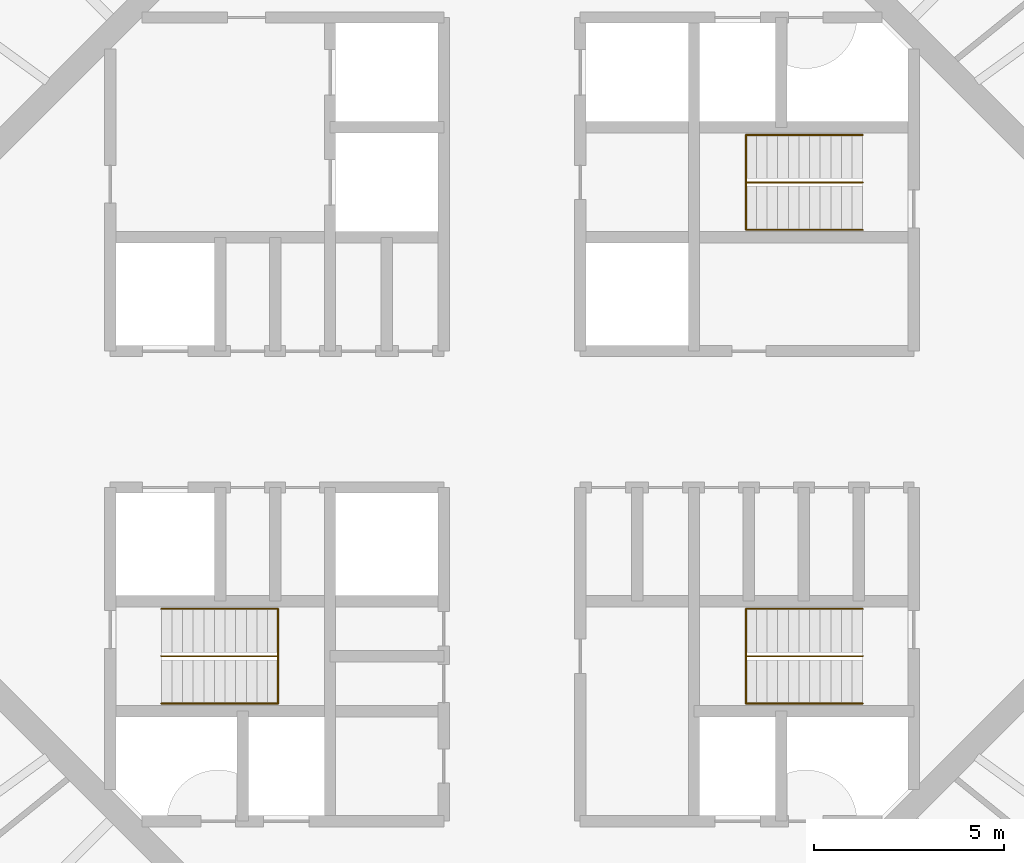
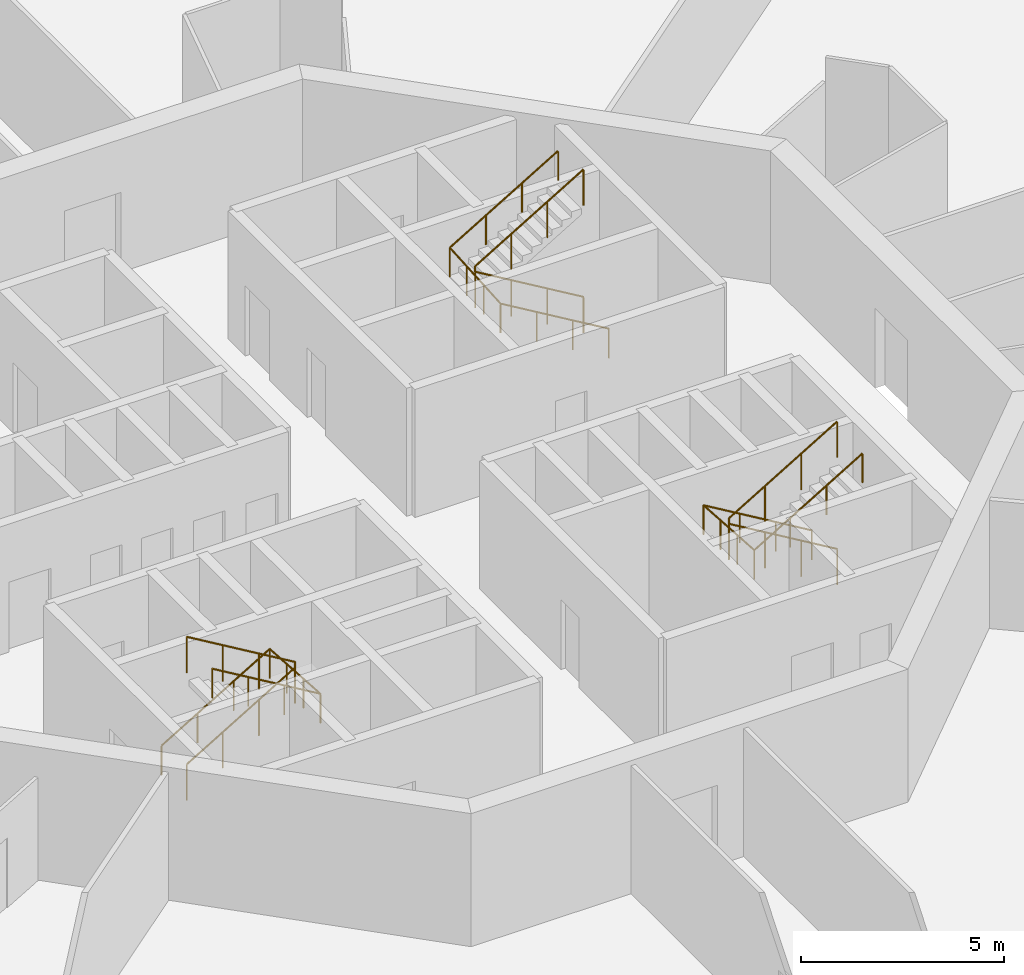
# One storey, part 13 of 13: 6 railings.
"""IFC4 building model written with IfcOpenShell, lengths in metres."""

from ifc_helpers import new_model, si_unit, direction, frame, origin, origin_2d, place, context, subcontext, project, spatial, circle, extrude, material, type_object, element, save


model = new_model("IFC4")

# Units and contexts
model_context = context("Model", 3, precision=1e-05, world=origin(), true_north=direction((0.0, 1.0)))
body_context = subcontext(model_context, "Body", "Model", "MODEL_VIEW")
ifc_project = project(units=[si_unit("LENGTHUNIT", "METRE"), si_unit("AREAUNIT", "SQUARE_METRE"), si_unit("VOLUMEUNIT", "CUBIC_METRE"), si_unit("PLANEANGLEUNIT", "RADIAN"), si_unit("MASSUNIT", "GRAM", prefix="KILO")], contexts=[model_context])

# Site, building, storey
site_placement = place(None, origin())
site = spatial("IfcSite", under=ifc_project, at=site_placement, CompositionType="ELEMENT")
building_placement = place(site_placement, origin())
building = spatial("IfcBuilding", under=site, at=building_placement, Name="Entoto Ring Tower", CompositionType="ELEMENT")
storey_placement = place(building_placement, frame((0.0, 0.0, 340.0)))
storey = spatial("IfcBuildingStorey", under=building, at=storey_placement, Name="L78", CompositionType="ELEMENT", Elevation=340.0)

# Railings
ifc_material_1 = material(Name="Steel S275", Category="steel")
railing_type_1 = type_object("IfcRailingType", Name="Stair guard 1100 mm steel", PredefinedType="GUARDRAIL", material=ifc_material_1)
railing_1_placement = place(storey_placement, frame((99.25, 86.25, 0.166748046875)))
element("IfcRailing", 1, at=railing_1_placement, inside=storey, type_object=railing_type_1, Name="Guard ST1", PredefinedType="GUARDRAIL", context=body_context, shape_type="SweptSolid", body=[
    extrude(circle(Radius=0.02392578125, at=origin_2d()), frame((0.0, 0.0, 1.076171875), z_axis=(-0.859308565015, 0.0, 0.511457515432), x_axis=(0.0, -1.0, 0.0)), (0.0, 0.0, 1.0), 3.58447265625),
    extrude(circle(Radius=0.02392578125, at=origin_2d()), frame((-3.080078125, 0.0, 2.9091796875), z_axis=(0.0, 0.0, 1.0), x_axis=(1.0, 0.0, 0.0)), (0.0, 0.0, 1.0), 0.166748046875),
    extrude(circle(Radius=0.02392578125, at=origin_2d()), frame((-3.080078125, 0.0, 3.076171875), z_axis=(0.859308565015, 0.0, 0.511457515432), x_axis=(0.0, 1.0, 0.0)), (0.0, 0.0, 1.0), 3.58447265625),
    extrude(circle(Radius=0.02099609375, at=origin_2d()), origin(), (0.0, 0.0, 1.0), 1.052001953125),
    extrude(circle(Radius=0.02099609375, at=origin_2d()), frame((-1.026611328125, 0.0, 0.611083984375)), (0.0, 0.0, 1.0), 1.052001953125),
    extrude(circle(Radius=0.02099609375, at=origin_2d()), frame((-2.053466796875, 0.0, 1.22216796875)), (0.0, 0.0, 1.0), 1.052001953125),
    extrude(circle(Radius=0.02099609375, at=origin_2d()), frame((-3.080078125, 0.0, 1.833251953125)), (0.0, 0.0, 1.0), 1.052001953125),
    extrude(circle(Radius=0.02099609375, at=origin_2d()), frame((-3.080078125, 0.0, 2.0)), (0.0, 0.0, 1.0), 1.052001953125),
    extrude(circle(Radius=0.02099609375, at=origin_2d()), frame((-2.053466796875, 0.0, 2.611083984375)), (0.0, 0.0, 1.0), 1.052001953125),
    extrude(circle(Radius=0.02099609375, at=origin_2d()), frame((-1.026611328125, 0.0, 3.22216796875)), (0.0, 0.0, 1.0), 1.052001953125),
    extrude(circle(Radius=0.02099609375, at=origin_2d()), frame((0.0, 0.0, 3.833251953125)), (0.0, 0.0, 1.0), 1.052001953125),
])
railing_2_placement = place(storey_placement, frame((80.75, 73.75, 0.166748046875)))
element("IfcRailing", 2, at=railing_2_placement, inside=storey, type_object=railing_type_1, Name="Guard ST2", PredefinedType="GUARDRAIL", context=body_context, shape_type="SweptSolid", body=[
    extrude(circle(Radius=0.02392578125, at=origin_2d()), frame((0.0, 0.0, 1.076171875), z_axis=(0.859308565015, 0.0, 0.511457515432), x_axis=(0.0, 1.0, 0.0)), (0.0, 0.0, 1.0), 3.58447265625),
    extrude(circle(Radius=0.02392578125, at=origin_2d()), frame((3.080078125, 0.0, 2.9091796875), z_axis=(0.0, 0.0, 1.0), x_axis=(1.0, 0.0, 0.0)), (0.0, 0.0, 1.0), 0.166748046875),
    extrude(circle(Radius=0.02392578125, at=origin_2d()), frame((3.080078125, 0.0, 3.076171875), z_axis=(-0.859308565015, 0.0, 0.511457515432), x_axis=(0.0, -1.0, 0.0)), (0.0, 0.0, 1.0), 3.58447265625),
    extrude(circle(Radius=0.02099609375, at=origin_2d()), origin(), (0.0, 0.0, 1.0), 1.052001953125),
    extrude(circle(Radius=0.02099609375, at=origin_2d()), frame((1.026611328125, 0.0, 0.611083984375)), (0.0, 0.0, 1.0), 1.052001953125),
    extrude(circle(Radius=0.02099609375, at=origin_2d()), frame((2.053466796875, 0.0, 1.22216796875)), (0.0, 0.0, 1.0), 1.052001953125),
    extrude(circle(Radius=0.02099609375, at=origin_2d()), frame((3.080078125, 0.0, 1.833251953125)), (0.0, 0.0, 1.0), 1.052001953125),
    extrude(circle(Radius=0.02099609375, at=origin_2d()), frame((3.080078125, 0.0, 2.0)), (0.0, 0.0, 1.0), 1.052001953125),
    extrude(circle(Radius=0.02099609375, at=origin_2d()), frame((2.053466796875, 0.0, 2.611083984375)), (0.0, 0.0, 1.0), 1.052001953125),
    extrude(circle(Radius=0.02099609375, at=origin_2d()), frame((1.026611328125, 0.0, 3.22216796875)), (0.0, 0.0, 1.0), 1.052001953125),
    extrude(circle(Radius=0.02099609375, at=origin_2d()), frame((0.0, 0.0, 3.833251953125)), (0.0, 0.0, 1.0), 1.052001953125),
])
railing_3_placement = place(storey_placement, frame((99.25, 73.75, 0.166748046875)))
element("IfcRailing", 3, at=railing_3_placement, inside=storey, type_object=railing_type_1, Name="Guard ST3", PredefinedType="GUARDRAIL", context=body_context, shape_type="SweptSolid", body=[
    extrude(circle(Radius=0.02392578125, at=origin_2d()), frame((0.0, 0.0, 1.076171875), z_axis=(-0.859308565015, 0.0, 0.511457515432), x_axis=(0.0, -1.0, 0.0)), (0.0, 0.0, 1.0), 3.58447265625),
    extrude(circle(Radius=0.02392578125, at=origin_2d()), frame((-3.080078125, 0.0, 2.9091796875), z_axis=(0.0, 0.0, 1.0), x_axis=(1.0, 0.0, 0.0)), (0.0, 0.0, 1.0), 0.166748046875),
    extrude(circle(Radius=0.02392578125, at=origin_2d()), frame((-3.080078125, 0.0, 3.076171875), z_axis=(0.859308565015, 0.0, 0.511457515432), x_axis=(0.0, 1.0, 0.0)), (0.0, 0.0, 1.0), 3.58447265625),
    extrude(circle(Radius=0.02099609375, at=origin_2d()), origin(), (0.0, 0.0, 1.0), 1.052001953125),
    extrude(circle(Radius=0.02099609375, at=origin_2d()), frame((-1.026611328125, 0.0, 0.611083984375)), (0.0, 0.0, 1.0), 1.052001953125),
    extrude(circle(Radius=0.02099609375, at=origin_2d()), frame((-2.053466796875, 0.0, 1.22216796875)), (0.0, 0.0, 1.0), 1.052001953125),
    extrude(circle(Radius=0.02099609375, at=origin_2d()), frame((-3.080078125, 0.0, 1.833251953125)), (0.0, 0.0, 1.0), 1.052001953125),
    extrude(circle(Radius=0.02099609375, at=origin_2d()), frame((-3.080078125, 0.0, 2.0)), (0.0, 0.0, 1.0), 1.052001953125),
    extrude(circle(Radius=0.02099609375, at=origin_2d()), frame((-2.053466796875, 0.0, 2.611083984375)), (0.0, 0.0, 1.0), 1.052001953125),
    extrude(circle(Radius=0.02099609375, at=origin_2d()), frame((-1.026611328125, 0.0, 3.22216796875)), (0.0, 0.0, 1.0), 1.052001953125),
    extrude(circle(Radius=0.02099609375, at=origin_2d()), frame((0.0, 0.0, 3.833251953125)), (0.0, 0.0, 1.0), 1.052001953125),
])
ifc_material_2 = material(Name="Steel S275", Category="steel")
railing_type_2 = type_object("IfcRailingType", Name="Stair handrail 900 mm steel", PredefinedType="HANDRAIL", material=ifc_material_2)
railing_4_placement = place(storey_placement, frame((99.25, 85.0, 0.166748046875)))
element("IfcRailing", 4, at=railing_4_placement, inside=storey, type_object=railing_type_2, Name="Handrail ST1", PredefinedType="HANDRAIL", context=body_context, shape_type="SweptSolid", body=[
    extrude(circle(Radius=0.02392578125, at=origin_2d()), frame((0.0, 0.0, 0.8759765625), z_axis=(-0.859308565015, 0.0, 0.511457515432), x_axis=(0.0, -1.0, 0.0)), (0.0, 0.0, 1.0), 3.58447265625),
    extrude(circle(Radius=0.02392578125, at=origin_2d()), frame((-3.080078125, 0.0, 2.708984375), z_axis=(0.0, 0.997783001586, 0.066551346688), x_axis=(-1.0, 0.0, 0.0)), (0.0, 0.0, 1.0), 2.505615234375),
    extrude(circle(Radius=0.02392578125, at=origin_2d()), frame((-3.080078125, 2.5, 2.8759765625), z_axis=(0.859308565015, 0.0, 0.511457515432), x_axis=(0.0, 1.0, 0.0)), (0.0, 0.0, 1.0), 3.58447265625),
    extrude(circle(Radius=0.02099609375, at=origin_2d()), origin(), (0.0, 0.0, 1.0), 0.851806640625),
    extrude(circle(Radius=0.02099609375, at=origin_2d()), frame((-1.026611328125, 0.0, 0.611083984375)), (0.0, 0.0, 1.0), 0.851806640625),
    extrude(circle(Radius=0.02099609375, at=origin_2d()), frame((-2.053466796875, 0.0, 1.22216796875)), (0.0, 0.0, 1.0), 0.851806640625),
    extrude(circle(Radius=0.02099609375, at=origin_2d()), frame((-3.080078125, 0.0, 1.833251953125)), (0.0, 0.0, 1.0), 0.851806640625),
    extrude(circle(Radius=0.02099609375, at=origin_2d()), frame((-3.080078125, 0.833251953125, 1.888916015625)), (0.0, 0.0, 1.0), 0.851806640625),
    extrude(circle(Radius=0.02099609375, at=origin_2d()), frame((-3.080078125, 1.666748046875, 1.9443359375)), (0.0, 0.0, 1.0), 0.851806640625),
    extrude(circle(Radius=0.02099609375, at=origin_2d()), frame((-3.080078125, 2.5, 2.0)), (0.0, 0.0, 1.0), 0.851806640625),
    extrude(circle(Radius=0.02099609375, at=origin_2d()), frame((-2.053466796875, 2.5, 2.611083984375)), (0.0, 0.0, 1.0), 0.851806640625),
    extrude(circle(Radius=0.02099609375, at=origin_2d()), frame((-1.026611328125, 2.5, 3.22216796875)), (0.0, 0.0, 1.0), 0.851806640625),
    extrude(circle(Radius=0.02099609375, at=origin_2d()), frame((0.0, 2.5, 3.833251953125)), (0.0, 0.0, 1.0), 0.851806640625),
])
railing_5_placement = place(storey_placement, frame((80.75, 75.0, 0.166748046875)))
element("IfcRailing", 5, at=railing_5_placement, inside=storey, type_object=railing_type_2, Name="Handrail ST2", PredefinedType="HANDRAIL", context=body_context, shape_type="SweptSolid", body=[
    extrude(circle(Radius=0.02392578125, at=origin_2d()), frame((0.0, 0.0, 0.8759765625), z_axis=(0.859308565015, 0.0, 0.511457515432), x_axis=(0.0, 1.0, 0.0)), (0.0, 0.0, 1.0), 3.58447265625),
    extrude(circle(Radius=0.02392578125, at=origin_2d()), frame((3.080078125, 0.0, 2.708984375), z_axis=(0.0, -0.997783001586, 0.066551346688), x_axis=(1.0, 0.0, 0.0)), (0.0, 0.0, 1.0), 2.505615234375),
    extrude(circle(Radius=0.02392578125, at=origin_2d()), frame((3.080078125, -2.5, 2.8759765625), z_axis=(-0.859308565015, 0.0, 0.511457515432), x_axis=(0.0, -1.0, 0.0)), (0.0, 0.0, 1.0), 3.58447265625),
    extrude(circle(Radius=0.02099609375, at=origin_2d()), origin(), (0.0, 0.0, 1.0), 0.851806640625),
    extrude(circle(Radius=0.02099609375, at=origin_2d()), frame((1.026611328125, 0.0, 0.611083984375)), (0.0, 0.0, 1.0), 0.851806640625),
    extrude(circle(Radius=0.02099609375, at=origin_2d()), frame((2.053466796875, 0.0, 1.22216796875)), (0.0, 0.0, 1.0), 0.851806640625),
    extrude(circle(Radius=0.02099609375, at=origin_2d()), frame((3.080078125, 0.0, 1.833251953125)), (0.0, 0.0, 1.0), 0.851806640625),
    extrude(circle(Radius=0.02099609375, at=origin_2d()), frame((3.080078125, -0.833251953125, 1.888916015625)), (0.0, 0.0, 1.0), 0.851806640625),
    extrude(circle(Radius=0.02099609375, at=origin_2d()), frame((3.080078125, -1.666748046875, 1.9443359375)), (0.0, 0.0, 1.0), 0.851806640625),
    extrude(circle(Radius=0.02099609375, at=origin_2d()), frame((3.080078125, -2.5, 2.0)), (0.0, 0.0, 1.0), 0.851806640625),
    extrude(circle(Radius=0.02099609375, at=origin_2d()), frame((2.053466796875, -2.5, 2.611083984375)), (0.0, 0.0, 1.0), 0.851806640625),
    extrude(circle(Radius=0.02099609375, at=origin_2d()), frame((1.026611328125, -2.5, 3.22216796875)), (0.0, 0.0, 1.0), 0.851806640625),
    extrude(circle(Radius=0.02099609375, at=origin_2d()), frame((0.0, -2.5, 3.833251953125)), (0.0, 0.0, 1.0), 0.851806640625),
])
railing_6_placement = place(storey_placement, frame((99.25, 75.0, 0.166748046875)))
element("IfcRailing", 6, at=railing_6_placement, inside=storey, type_object=railing_type_2, Name="Handrail ST3", PredefinedType="HANDRAIL", context=body_context, shape_type="SweptSolid", body=[
    extrude(circle(Radius=0.02392578125, at=origin_2d()), frame((0.0, 0.0, 0.8759765625), z_axis=(-0.859308565015, 0.0, 0.511457515432), x_axis=(0.0, -1.0, 0.0)), (0.0, 0.0, 1.0), 3.58447265625),
    extrude(circle(Radius=0.02392578125, at=origin_2d()), frame((-3.080078125, 0.0, 2.708984375), z_axis=(0.0, -0.997783001586, 0.066551346688), x_axis=(1.0, 0.0, 0.0)), (0.0, 0.0, 1.0), 2.505615234375),
    extrude(circle(Radius=0.02392578125, at=origin_2d()), frame((-3.080078125, -2.5, 2.8759765625), z_axis=(0.859308565015, 0.0, 0.511457515432), x_axis=(0.0, 1.0, 0.0)), (0.0, 0.0, 1.0), 3.58447265625),
    extrude(circle(Radius=0.02099609375, at=origin_2d()), origin(), (0.0, 0.0, 1.0), 0.851806640625),
    extrude(circle(Radius=0.02099609375, at=origin_2d()), frame((-1.026611328125, 0.0, 0.611083984375)), (0.0, 0.0, 1.0), 0.851806640625),
    extrude(circle(Radius=0.02099609375, at=origin_2d()), frame((-2.053466796875, 0.0, 1.22216796875)), (0.0, 0.0, 1.0), 0.851806640625),
    extrude(circle(Radius=0.02099609375, at=origin_2d()), frame((-3.080078125, 0.0, 1.833251953125)), (0.0, 0.0, 1.0), 0.851806640625),
    extrude(circle(Radius=0.02099609375, at=origin_2d()), frame((-3.080078125, -0.833251953125, 1.888916015625)), (0.0, 0.0, 1.0), 0.851806640625),
    extrude(circle(Radius=0.02099609375, at=origin_2d()), frame((-3.080078125, -1.666748046875, 1.9443359375)), (0.0, 0.0, 1.0), 0.851806640625),
    extrude(circle(Radius=0.02099609375, at=origin_2d()), frame((-3.080078125, -2.5, 2.0)), (0.0, 0.0, 1.0), 0.851806640625),
    extrude(circle(Radius=0.02099609375, at=origin_2d()), frame((-2.053466796875, -2.5, 2.611083984375)), (0.0, 0.0, 1.0), 0.851806640625),
    extrude(circle(Radius=0.02099609375, at=origin_2d()), frame((-1.026611328125, -2.5, 3.22216796875)), (0.0, 0.0, 1.0), 0.851806640625),
    extrude(circle(Radius=0.02099609375, at=origin_2d()), frame((0.0, -2.5, 3.833251953125)), (0.0, 0.0, 1.0), 0.851806640625),
])

save(model, "model.ifc")
